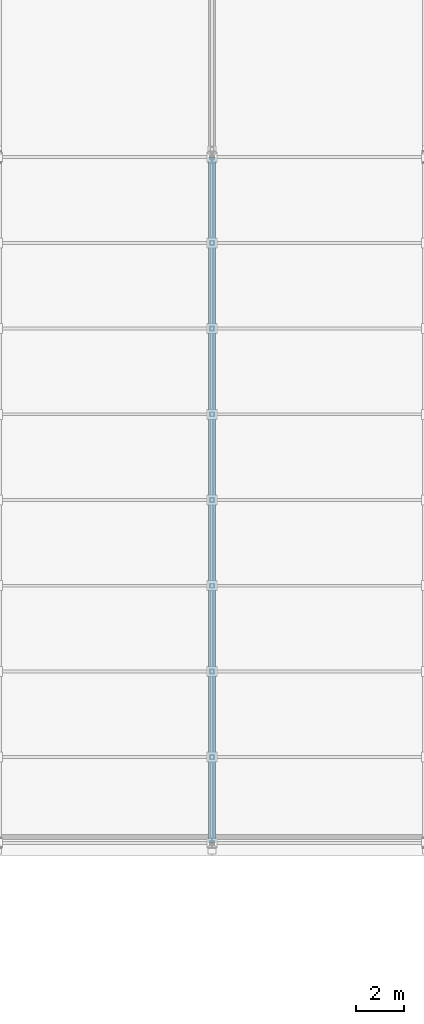
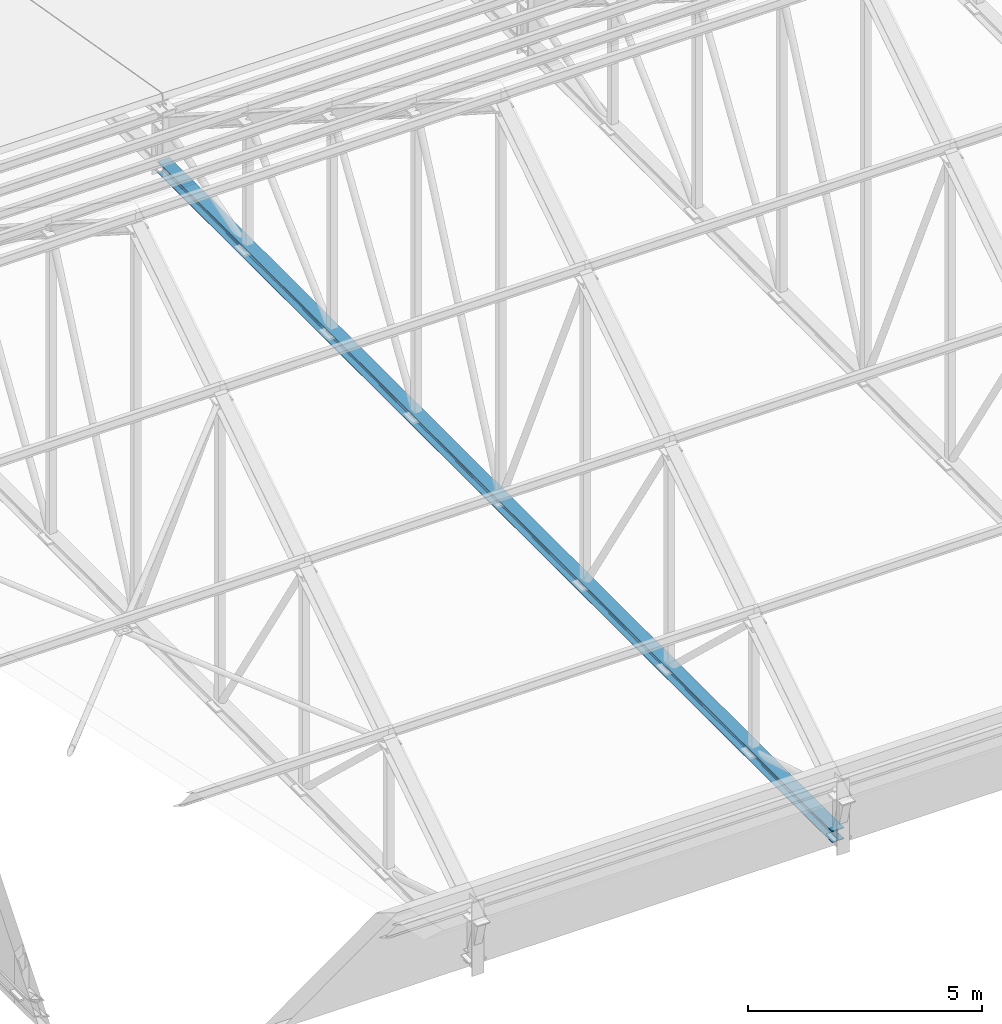
# One storey, part 105 of 182: 1 member.
"""IFC4 building model written with IfcOpenShell, lengths in metres."""

from ifc_helpers import new_model, si_unit, direction, frame, origin, origin_2d, place, context, subcontext, project, spatial, i_section, extrude, material, material_profile, profile_set, type_object, element, save


model = new_model("IFC4")

# Units and contexts
model_context = context("Model", 3, precision=1e-05, world=origin(), true_north=direction((0.0, 1.0)))
body_context = subcontext(model_context, "Body", "Model", "MODEL_VIEW")
ifc_project = project(units=[si_unit("LENGTHUNIT", "METRE"), si_unit("AREAUNIT", "SQUARE_METRE"), si_unit("VOLUMEUNIT", "CUBIC_METRE"), si_unit("PLANEANGLEUNIT", "RADIAN"), si_unit("MASSUNIT", "GRAM", prefix="KILO")], contexts=[model_context])

# Site, building, storey
site_placement = place(None, origin())
site = spatial("IfcSite", under=ifc_project, at=site_placement, CompositionType="ELEMENT")
building_placement = place(site_placement, origin())
building = spatial("IfcBuilding", under=site, at=building_placement, Name="Chiffa Square Polytechnic", CompositionType="ELEMENT")
storey_placement = place(building_placement, frame((0.0, 0.0, 9.60009765625)))
storey = spatial("IfcBuildingStorey", under=building, at=storey_placement, Name="L02", CompositionType="ELEMENT", Elevation=9.60009765625)

# Member
ifc_material = material(Name="Steel S355", Category="steel")
ifc_material_profile = material_profile(ifc_material, i_section(OverallWidth=0.300048828125, OverallDepth=0.300048828125, WebThickness=0.010986328125, FlangeThickness=0.01904296875, FilletRadius=0.027099609375, at=origin_2d()), Name="HEB 300")
ifc_profile_set = profile_set([ifc_material_profile], Name="Steel S355")
member_type = type_object("IfcMemberType", Name="MEM-CHORD-HEB300", PredefinedType="CHORD", material=ifc_profile_set)
member_placement = place(storey_placement, frame((130.199951171875, 58.199951171875, 0.349853515625), z_axis=(0.0, 1.0, 0.0), x_axis=(-1.0, 0.0, 0.0)))
element("IfcMember", 1, at=member_placement, inside=storey, type_object=member_type, Name="Workshop roof truss bottom chord TCB-V2-03", PredefinedType="CHORD", context=body_context, shape_type="SweptSolid", body=[
    extrude(i_section(OverallWidth=0.300048828125, OverallDepth=0.300048828125, WebThickness=0.010986328125, FlangeThickness=0.01904296875, FilletRadius=0.027099609375, at=origin_2d()), origin(), (0.0, 0.0, 1.0), 28.800048828125),
])

save(model, "model.ifc")
